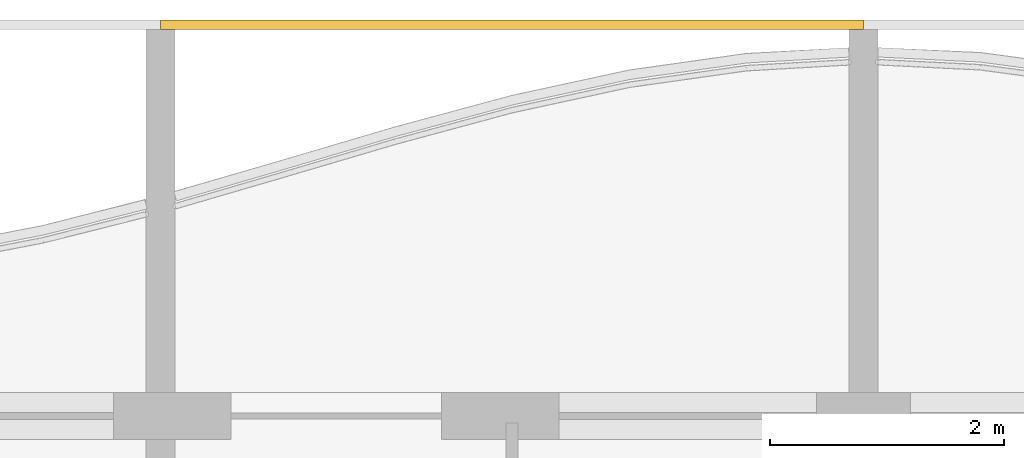
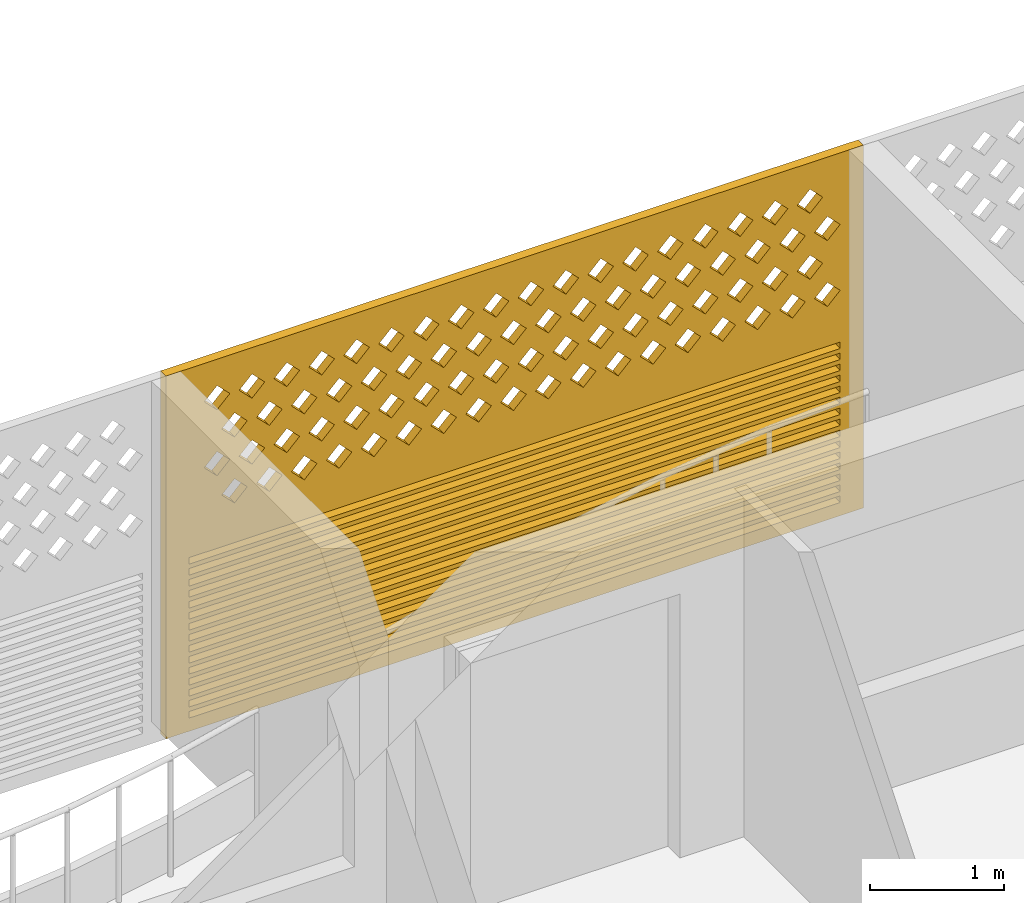
# One storey, part 26 of 28: 1 covering.
"""IFC4 building model written with IfcOpenShell, lengths in metres."""

import ifcopenshell
import ifcopenshell.guid

model = None  # the IFC model being written
_history = None  # IfcOwnerHistory: only IFC2X3 demands one
_inside = {}  # id of a spatial element -> (the spatial element, [elements in it])
_under = {}  # id of a project, library or spatial element -> (it, [spatial elements below it])
_declared = {}  # id of a project -> (the project, [libraries it declares])
_typed = {}  # id of a type object -> (the type object, [elements of that type])
_made_of = {}  # id of a material, layer set ... -> (it, [elements and type objects made of it])


def new_model(schema):
    """Start an empty IFC model of exactly this schema.

    Asked for "IFC4X3", IfcOpenShell would pick the latest addendum, in which some entities
    have other attributes; the version numbers below select the first issue.
    IFC2X3 requires an IfcOwnerHistory on every rooted entity: one is made here for all.
    """
    global model, _history
    if schema == "IFC4X3":
        model = ifcopenshell.file(schema_version=(4, 3, 0, 0))
    else:
        model = ifcopenshell.file(schema=schema)
    _inside.clear()
    _under.clear()
    _declared.clear()
    _typed.clear()
    _made_of.clear()
    _history = None
    if model.schema == "IFC2X3":
        org = make("IfcOrganization", Name="unknown")
        user = make(
            "IfcPersonAndOrganization",
            ThePerson=make("IfcPerson", FamilyName="unknown"),
            TheOrganization=org,
        )
        app = make(
            "IfcApplication",
            ApplicationDeveloper=org,
            Version="unknown",
            ApplicationFullName="unknown",
            ApplicationIdentifier="unknown",
        )
        _history = make(
            "IfcOwnerHistory",
            OwningUser=user,
            OwningApplication=app,
            ChangeAction="ADDED",
            CreationDate=0,
        )
    return model


def make(cls, **values):
    """One entity of the class cls with the attributes given. An attribute that is None is left unset."""
    return model.create_entity(
        cls, **{name: value for name, value in values.items() if value is not None}
    )


def rooted(cls, **values):
    """An entity with a GlobalId (a new one), such as an element, a storey or a relation."""
    return make(cls, GlobalId=ifcopenshell.guid.new(), OwnerHistory=_history, **values)


def si_unit(unit_type, name, prefix=None):
    """IfcSIUnit, for example si_unit("LENGTHUNIT", "METRE", prefix="MILLI")."""
    return make("IfcSIUnit", UnitType=unit_type, Prefix=prefix, Name=name)


def assignment(units):
    """IfcUnitAssignment: the units of a project."""
    return None if units is None else make("IfcUnitAssignment", Units=units)


def point(xyz):
    """IfcCartesianPoint."""
    return None if xyz is None else make("IfcCartesianPoint", Coordinates=xyz)


def direction(xyz):
    """IfcDirection."""
    return None if xyz is None else make("IfcDirection", DirectionRatios=xyz)


def frame(location, z_axis=None, x_axis=None):
    """IfcAxis2Placement3D, a coordinate frame: its origin and axes. An axis left out is left unset."""
    return make(
        "IfcAxis2Placement3D",
        Location=point(location),
        Axis=direction(z_axis),
        RefDirection=direction(x_axis),
    )


def origin():
    """The frame at (0, 0, 0) with its axes left unset."""
    return frame((0.0, 0.0, 0.0))


def place(relative_to, where):
    """IfcLocalPlacement: puts the frame where relative to a parent placement (None: the world)."""
    return make(
        "IfcLocalPlacement", PlacementRelTo=relative_to, RelativePlacement=where
    )


def context(
    kind, dimensions, precision=None, world=None, true_north=None, identifier=None
):
    """IfcGeometricRepresentationContext, for example the 3D "Model" context."""
    return make(
        "IfcGeometricRepresentationContext",
        ContextIdentifier=identifier,
        ContextType=kind,
        CoordinateSpaceDimension=dimensions,
        Precision=precision,
        WorldCoordinateSystem=world,
        TrueNorth=true_north,
    )


def subcontext(parent, identifier, kind, view, scale=None):
    """IfcGeometricRepresentationSubContext, for example "Body" below "Model"."""
    return make(
        "IfcGeometricRepresentationSubContext",
        ContextIdentifier=identifier,
        ContextType=kind,
        ParentContext=parent,
        TargetScale=scale,
        TargetView=view,
    )


def project(units=None, contexts=None):
    """IfcProject with its units and contexts."""
    return rooted(
        "IfcProject",
        Name="project",
        RepresentationContexts=contexts,
        UnitsInContext=assignment(units),
    )


def spatial(cls, under=None, at=None, **own):
    """A site, building, storey or space (cls), placed at a placement, below another one or the project."""
    s = rooted(cls, ObjectPlacement=at, **own)
    if under is not None:
        _under.setdefault(under.id(), (under, []))[1].append(s)
    return s


def polyline(points):
    """IfcPolyline through the points."""
    return make("IfcPolyline", Points=[point(p) for p in points])


def outline(outer, holes=None, kind="AREA"):
    """IfcArbitraryClosedProfileDef: a profile drawn as a closed curve; with holes, ...WithVoids."""
    if holes is None:
        return make("IfcArbitraryClosedProfileDef", ProfileType=kind, OuterCurve=outer)
    return make(
        "IfcArbitraryProfileDefWithVoids",
        ProfileType=kind,
        OuterCurve=outer,
        InnerCurves=holes,
    )


def extrude(swept, where, along, depth):
    """IfcExtrudedAreaSolid: the profile swept, set in the frame where, extruded along a direction by depth."""
    return make(
        "IfcExtrudedAreaSolid",
        SweptArea=swept,
        Position=where,
        ExtrudedDirection=direction(along),
        Depth=depth,
    )


def shape(context_of_items, identifier, shape_type, items):
    """IfcShapeRepresentation: the items that make up one representation, for example the "Body"."""
    return make(
        "IfcShapeRepresentation",
        ContextOfItems=context_of_items,
        RepresentationIdentifier=identifier,
        RepresentationType=shape_type,
        Items=items,
    )


def source(mapping_origin, context_of_items, identifier, shape_type, items):
    """IfcRepresentationMap: a shape defined once, which mapped items show again and again."""
    return make(
        "IfcRepresentationMap",
        MappingOrigin=mapping_origin,
        MappedRepresentation=shape(context_of_items, identifier, shape_type, items),
    )


def transform(
    local_origin,
    x_axis=None,
    y_axis=None,
    z_axis=None,
    scale=None,
    scale2=None,
    scale3=None,
    uniform=True,
):
    """IfcCartesianTransformationOperator3D, or its non-uniform kind. x_axis, y_axis, z_axis: its Axis1, 2, 3."""
    if uniform:
        return make(
            "IfcCartesianTransformationOperator3D",
            Axis1=direction(x_axis),
            Axis2=direction(y_axis),
            LocalOrigin=point(local_origin),
            Scale=scale,
            Axis3=direction(z_axis),
        )
    return make(
        "IfcCartesianTransformationOperator3DnonUniform",
        Axis1=direction(x_axis),
        Axis2=direction(y_axis),
        LocalOrigin=point(local_origin),
        Scale=scale,
        Axis3=direction(z_axis),
        Scale2=scale2,
        Scale3=scale3,
    )


def mapped(mapping_source, mapping_target):
    """IfcMappedItem: shows the shape of a source again, moved by a transform."""
    return make(
        "IfcMappedItem", MappingSource=mapping_source, MappingTarget=mapping_target
    )


def material(Name=None, Category=None):
    """IfcMaterial."""
    return make("IfcMaterial", Name=Name, Category=Category)


def material_profile(
    of_material, cross_section, Name=None, Category=None, Priority=None
):
    """IfcMaterialProfile: a cross section and its material."""
    return make(
        "IfcMaterialProfile",
        Name=Name,
        Material=of_material,
        Profile=cross_section,
        Priority=Priority,
        Category=Category,
    )


def profile_set(profiles, Name=None, composite=None):
    """IfcMaterialProfileSet."""
    return make(
        "IfcMaterialProfileSet",
        Name=Name,
        MaterialProfiles=profiles,
        CompositeProfile=composite,
    )


def made_of(thing, what):
    """Note that an element or type object is made of a material, layer set ...; save() writes the relation."""
    if what is not None:
        _made_of.setdefault(what.id(), (what, []))[1].append(thing)
    return thing


def type_object(cls, material=None, **own):
    """A type object (cls), such as IfcWallType, which elements share."""
    return made_of(rooted(cls, **own), material)


def element(
    cls,
    number,
    at=None,
    inside=None,
    cuts=None,
    type_object=None,
    material=None,
    context=None,
    identifier="Body",
    shape_type=None,
    held_by="IfcProductDefinitionShape",
    body=None,
    shapes=None,
    **own,
):
    """One element of the class cls, such as IfcWall. Its Tag is "e" and its number.

    at: its placement. inside: the storey or other place that contains it. cuts: it is an
    opening in that element (IfcRelVoidsElement). A single representation is given by context,
    identifier, shape_type and body (its items); several are given by shapes. held_by: the class
    of the entity that holds the representations. save() writes the other relations.
    """
    e = rooted(cls, Tag="e%d" % number, ObjectPlacement=at, **own)
    if body is not None:
        shapes = [shape(context, identifier, shape_type, body)]
    if shapes is not None:
        e.Representation = make(held_by, Representations=shapes)
    if inside is not None:
        _inside.setdefault(inside.id(), (inside, []))[1].append(e)
    if cuts is not None:
        rooted(
            "IfcRelVoidsElement", RelatingBuildingElement=cuts, RelatedOpeningElement=e
        )
    if type_object is not None:
        _typed.setdefault(type_object.id(), (type_object, []))[1].append(e)
    return made_of(e, material)


def aggregate(whole, parts):
    """IfcRelAggregates: a whole, such as a stair, and the parts it consists of."""
    return rooted("IfcRelAggregates", RelatingObject=whole, RelatedObjects=parts)


def save(model, path):
    """Write the relations noted so far, then the file.

    IfcRelAggregates (storeys below a building ...), IfcRelContainedInSpatialStructure (elements
    in a storey), IfcRelDefinesByType, IfcRelAssociatesMaterial and IfcRelDeclares: one each for
    every whole, place, type object, material and project.
    """
    for whole, parts in _under.values():
        aggregate(whole, parts)
    for where, things in _inside.values():
        rooted(
            "IfcRelContainedInSpatialStructure",
            RelatedElements=things,
            RelatingStructure=where,
        )
    for kind, things in _typed.values():
        rooted("IfcRelDefinesByType", RelatedObjects=things, RelatingType=kind)
    for what, things in _made_of.values():
        rooted("IfcRelAssociatesMaterial", RelatedObjects=things, RelatingMaterial=what)
    for by, libraries in _declared.values():
        rooted("IfcRelDeclares", RelatingContext=by, RelatedDefinitions=libraries)
    model.write(path)


model = new_model("IFC4")

# Units and contexts
model_context = context("Model", 3, precision=1e-05, world=origin(), true_north=direction((0.0, 1.0)))
body_context = subcontext(model_context, "Body", "Model", "MODEL_VIEW")
ifc_project = project(units=[si_unit("LENGTHUNIT", "METRE"), si_unit("AREAUNIT", "SQUARE_METRE"), si_unit("VOLUMEUNIT", "CUBIC_METRE"), si_unit("PLANEANGLEUNIT", "RADIAN"), si_unit("MASSUNIT", "GRAM", prefix="KILO")], contexts=[model_context])

# Site, building, storey
site_placement = place(None, origin())
site = spatial("IfcSite", under=ifc_project, at=site_placement, CompositionType="ELEMENT")
building_placement = place(site_placement, origin())
building = spatial("IfcBuilding", under=site, at=building_placement, Name="Poui Terraces", CompositionType="ELEMENT")
storey_placement = place(building_placement, frame((0.0, 0.0, 185.10009765625)))
storey = spatial("IfcBuildingStorey", under=building, at=storey_placement, Name="L51", CompositionType="ELEMENT", Elevation=185.10009765625)

# Covering
ifc_material = material(Name="Terracotta screen", Category="masonry")
ifc_material_profile = material_profile(ifc_material, outline(polyline([(-3.0, -1.64990234375), (3.0, -1.64990234375), (3.0, 1.64990234375), (-3.0, 1.64990234375), (-3.0, -1.64990234375)]), holes=[polyline([(-2.800048828125, 0.39990234375), (-2.68994140625, 0.2900390625), (-2.580078125, 0.39990234375), (-2.68994140625, 0.510009765625), (-2.800048828125, 0.39990234375)]), polyline([(-2.5, 0.39990234375), (-2.389892578125, 0.2900390625), (-2.280029296875, 0.39990234375), (-2.389892578125, 0.510009765625), (-2.5, 0.39990234375)]), polyline([(-2.199951171875, 0.39990234375), (-2.090087890625, 0.2900390625), (-1.97998046875, 0.39990234375), (-2.090087890625, 0.510009765625), (-2.199951171875, 0.39990234375)]), polyline([(-1.89990234375, 0.39990234375), (-1.7900390625, 0.2900390625), (-1.679931640625, 0.39990234375), (-1.7900390625, 0.510009765625), (-1.89990234375, 0.39990234375)]), polyline([(-1.60009765625, 0.39990234375), (-1.489990234375, 0.2900390625), (-1.3798828125, 0.39990234375), (-1.489990234375, 0.510009765625), (-1.60009765625, 0.39990234375)]), polyline([(-1.300048828125, 0.39990234375), (-1.18994140625, 0.2900390625), (-1.080078125, 0.39990234375), (-1.18994140625, 0.510009765625), (-1.300048828125, 0.39990234375)]), polyline([(-1.0, 0.39990234375), (-0.889892578125, 0.2900390625), (-0.780029296875, 0.39990234375), (-0.889892578125, 0.510009765625), (-1.0, 0.39990234375)]), polyline([(-0.699951171875, 0.39990234375), (-0.590087890625, 0.2900390625), (-0.47998046875, 0.39990234375), (-0.590087890625, 0.510009765625), (-0.699951171875, 0.39990234375)]), polyline([(-0.39990234375, 0.39990234375), (-0.2900390625, 0.2900390625), (-0.179931640625, 0.39990234375), (-0.2900390625, 0.510009765625), (-0.39990234375, 0.39990234375)]), polyline([(-0.10009765625, 0.39990234375), (0.010009765625, 0.2900390625), (0.1201171875, 0.39990234375), (0.010009765625, 0.510009765625), (-0.10009765625, 0.39990234375)]), polyline([(0.199951171875, 0.39990234375), (0.31005859375, 0.2900390625), (0.419921875, 0.39990234375), (0.31005859375, 0.510009765625), (0.199951171875, 0.39990234375)]), polyline([(0.5, 0.39990234375), (0.610107421875, 0.2900390625), (0.719970703125, 0.39990234375), (0.610107421875, 0.510009765625), (0.5, 0.39990234375)]), polyline([(0.800048828125, 0.39990234375), (0.909912109375, 0.2900390625), (1.02001953125, 0.39990234375), (0.909912109375, 0.510009765625), (0.800048828125, 0.39990234375)]), polyline([(1.10009765625, 0.39990234375), (1.2099609375, 0.2900390625), (1.320068359375, 0.39990234375), (1.2099609375, 0.510009765625), (1.10009765625, 0.39990234375)]), polyline([(1.39990234375, 0.39990234375), (1.510009765625, 0.2900390625), (1.6201171875, 0.39990234375), (1.510009765625, 0.510009765625), (1.39990234375, 0.39990234375)]), polyline([(1.699951171875, 0.39990234375), (1.81005859375, 0.2900390625), (1.919921875, 0.39990234375), (1.81005859375, 0.510009765625), (1.699951171875, 0.39990234375)]), polyline([(2.0, 0.39990234375), (2.110107421875, 0.2900390625), (2.219970703125, 0.39990234375), (2.110107421875, 0.510009765625), (2.0, 0.39990234375)]), polyline([(2.300048828125, 0.39990234375), (2.409912109375, 0.2900390625), (2.52001953125, 0.39990234375), (2.409912109375, 0.510009765625), (2.300048828125, 0.39990234375)]), polyline([(-2.64990234375, 0.699951171875), (-2.5400390625, 0.590087890625), (-2.429931640625, 0.699951171875), (-2.5400390625, 0.81005859375), (-2.64990234375, 0.699951171875)]), polyline([(-2.35009765625, 0.699951171875), (-2.239990234375, 0.590087890625), (-2.1298828125, 0.699951171875), (-2.239990234375, 0.81005859375), (-2.35009765625, 0.699951171875)]), polyline([(-2.050048828125, 0.699951171875), (-1.93994140625, 0.590087890625), (-1.830078125, 0.699951171875), (-1.93994140625, 0.81005859375), (-2.050048828125, 0.699951171875)]), polyline([(-1.75, 0.699951171875), (-1.639892578125, 0.590087890625), (-1.530029296875, 0.699951171875), (-1.639892578125, 0.81005859375), (-1.75, 0.699951171875)]), polyline([(-1.449951171875, 0.699951171875), (-1.340087890625, 0.590087890625), (-1.22998046875, 0.699951171875), (-1.340087890625, 0.81005859375), (-1.449951171875, 0.699951171875)]), polyline([(-1.14990234375, 0.699951171875), (-1.0400390625, 0.590087890625), (-0.929931640625, 0.699951171875), (-1.0400390625, 0.81005859375), (-1.14990234375, 0.699951171875)]), polyline([(-0.85009765625, 0.699951171875), (-0.739990234375, 0.590087890625), (-0.6298828125, 0.699951171875), (-0.739990234375, 0.81005859375), (-0.85009765625, 0.699951171875)]), polyline([(-0.550048828125, 0.699951171875), (-0.43994140625, 0.590087890625), (-0.330078125, 0.699951171875), (-0.43994140625, 0.81005859375), (-0.550048828125, 0.699951171875)]), polyline([(-0.25, 0.699951171875), (-0.139892578125, 0.590087890625), (-0.030029296875, 0.699951171875), (-0.139892578125, 0.81005859375), (-0.25, 0.699951171875)]), polyline([(0.050048828125, 0.699951171875), (0.159912109375, 0.590087890625), (0.27001953125, 0.699951171875), (0.159912109375, 0.81005859375), (0.050048828125, 0.699951171875)]), polyline([(0.35009765625, 0.699951171875), (0.4599609375, 0.590087890625), (0.570068359375, 0.699951171875), (0.4599609375, 0.81005859375), (0.35009765625, 0.699951171875)]), polyline([(0.64990234375, 0.699951171875), (0.760009765625, 0.590087890625), (0.8701171875, 0.699951171875), (0.760009765625, 0.81005859375), (0.64990234375, 0.699951171875)]), polyline([(0.949951171875, 0.699951171875), (1.06005859375, 0.590087890625), (1.169921875, 0.699951171875), (1.06005859375, 0.81005859375), (0.949951171875, 0.699951171875)]), polyline([(1.25, 0.699951171875), (1.360107421875, 0.590087890625), (1.469970703125, 0.699951171875), (1.360107421875, 0.81005859375), (1.25, 0.699951171875)]), polyline([(1.550048828125, 0.699951171875), (1.659912109375, 0.590087890625), (1.77001953125, 0.699951171875), (1.659912109375, 0.81005859375), (1.550048828125, 0.699951171875)]), polyline([(1.85009765625, 0.699951171875), (1.9599609375, 0.590087890625), (2.070068359375, 0.699951171875), (1.9599609375, 0.81005859375), (1.85009765625, 0.699951171875)]), polyline([(2.14990234375, 0.699951171875), (2.260009765625, 0.590087890625), (2.3701171875, 0.699951171875), (2.260009765625, 0.81005859375), (2.14990234375, 0.699951171875)]), polyline([(2.449951171875, 0.699951171875), (2.56005859375, 0.590087890625), (2.669921875, 0.699951171875), (2.56005859375, 0.81005859375), (2.449951171875, 0.699951171875)]), polyline([(-2.800048828125, 1.0), (-2.68994140625, 0.889892578125), (-2.580078125, 1.0), (-2.68994140625, 1.110107421875), (-2.800048828125, 1.0)]), polyline([(-2.5, 1.0), (-2.389892578125, 0.889892578125), (-2.280029296875, 1.0), (-2.389892578125, 1.110107421875), (-2.5, 1.0)]), polyline([(-2.199951171875, 1.0), (-2.090087890625, 0.889892578125), (-1.97998046875, 1.0), (-2.090087890625, 1.110107421875), (-2.199951171875, 1.0)]), polyline([(-1.89990234375, 1.0), (-1.7900390625, 0.889892578125), (-1.679931640625, 1.0), (-1.7900390625, 1.110107421875), (-1.89990234375, 1.0)]), polyline([(-1.60009765625, 1.0), (-1.489990234375, 0.889892578125), (-1.3798828125, 1.0), (-1.489990234375, 1.110107421875), (-1.60009765625, 1.0)]), polyline([(-1.300048828125, 1.0), (-1.18994140625, 0.889892578125), (-1.080078125, 1.0), (-1.18994140625, 1.110107421875), (-1.300048828125, 1.0)]), polyline([(-1.0, 1.0), (-0.889892578125, 0.889892578125), (-0.780029296875, 1.0), (-0.889892578125, 1.110107421875), (-1.0, 1.0)]), polyline([(-0.699951171875, 1.0), (-0.590087890625, 0.889892578125), (-0.47998046875, 1.0), (-0.590087890625, 1.110107421875), (-0.699951171875, 1.0)]), polyline([(-0.39990234375, 1.0), (-0.2900390625, 0.889892578125), (-0.179931640625, 1.0), (-0.2900390625, 1.110107421875), (-0.39990234375, 1.0)]), polyline([(-0.10009765625, 1.0), (0.010009765625, 0.889892578125), (0.1201171875, 1.0), (0.010009765625, 1.110107421875), (-0.10009765625, 1.0)]), polyline([(0.199951171875, 1.0), (0.31005859375, 0.889892578125), (0.419921875, 1.0), (0.31005859375, 1.110107421875), (0.199951171875, 1.0)]), polyline([(0.5, 1.0), (0.610107421875, 0.889892578125), (0.719970703125, 1.0), (0.610107421875, 1.110107421875), (0.5, 1.0)]), polyline([(0.800048828125, 1.0), (0.909912109375, 0.889892578125), (1.02001953125, 1.0), (0.909912109375, 1.110107421875), (0.800048828125, 1.0)]), polyline([(1.10009765625, 1.0), (1.2099609375, 0.889892578125), (1.320068359375, 1.0), (1.2099609375, 1.110107421875), (1.10009765625, 1.0)]), polyline([(1.39990234375, 1.0), (1.510009765625, 0.889892578125), (1.6201171875, 1.0), (1.510009765625, 1.110107421875), (1.39990234375, 1.0)]), polyline([(1.699951171875, 1.0), (1.81005859375, 0.889892578125), (1.919921875, 1.0), (1.81005859375, 1.110107421875), (1.699951171875, 1.0)]), polyline([(2.0, 1.0), (2.110107421875, 0.889892578125), (2.219970703125, 1.0), (2.110107421875, 1.110107421875), (2.0, 1.0)]), polyline([(2.300048828125, 1.0), (2.409912109375, 0.889892578125), (2.52001953125, 1.0), (2.409912109375, 1.110107421875), (2.300048828125, 1.0)]), polyline([(-2.64990234375, 1.300048828125), (-2.5400390625, 1.18994140625), (-2.429931640625, 1.300048828125), (-2.5400390625, 1.409912109375), (-2.64990234375, 1.300048828125)]), polyline([(-2.35009765625, 1.300048828125), (-2.239990234375, 1.18994140625), (-2.1298828125, 1.300048828125), (-2.239990234375, 1.409912109375), (-2.35009765625, 1.300048828125)]), polyline([(-2.050048828125, 1.300048828125), (-1.93994140625, 1.18994140625), (-1.830078125, 1.300048828125), (-1.93994140625, 1.409912109375), (-2.050048828125, 1.300048828125)]), polyline([(-1.75, 1.300048828125), (-1.639892578125, 1.18994140625), (-1.530029296875, 1.300048828125), (-1.639892578125, 1.409912109375), (-1.75, 1.300048828125)]), polyline([(-1.449951171875, 1.300048828125), (-1.340087890625, 1.18994140625), (-1.22998046875, 1.300048828125), (-1.340087890625, 1.409912109375), (-1.449951171875, 1.300048828125)]), polyline([(-1.14990234375, 1.300048828125), (-1.0400390625, 1.18994140625), (-0.929931640625, 1.300048828125), (-1.0400390625, 1.409912109375), (-1.14990234375, 1.300048828125)]), polyline([(-0.85009765625, 1.300048828125), (-0.739990234375, 1.18994140625), (-0.6298828125, 1.300048828125), (-0.739990234375, 1.409912109375), (-0.85009765625, 1.300048828125)]), polyline([(-0.550048828125, 1.300048828125), (-0.43994140625, 1.18994140625), (-0.330078125, 1.300048828125), (-0.43994140625, 1.409912109375), (-0.550048828125, 1.300048828125)]), polyline([(-0.25, 1.300048828125), (-0.139892578125, 1.18994140625), (-0.030029296875, 1.300048828125), (-0.139892578125, 1.409912109375), (-0.25, 1.300048828125)]), polyline([(0.050048828125, 1.300048828125), (0.159912109375, 1.18994140625), (0.27001953125, 1.300048828125), (0.159912109375, 1.409912109375), (0.050048828125, 1.300048828125)]), polyline([(0.35009765625, 1.300048828125), (0.4599609375, 1.18994140625), (0.570068359375, 1.300048828125), (0.4599609375, 1.409912109375), (0.35009765625, 1.300048828125)]), polyline([(0.64990234375, 1.300048828125), (0.760009765625, 1.18994140625), (0.8701171875, 1.300048828125), (0.760009765625, 1.409912109375), (0.64990234375, 1.300048828125)]), polyline([(0.949951171875, 1.300048828125), (1.06005859375, 1.18994140625), (1.169921875, 1.300048828125), (1.06005859375, 1.409912109375), (0.949951171875, 1.300048828125)]), polyline([(1.25, 1.300048828125), (1.360107421875, 1.18994140625), (1.469970703125, 1.300048828125), (1.360107421875, 1.409912109375), (1.25, 1.300048828125)]), polyline([(1.550048828125, 1.300048828125), (1.659912109375, 1.18994140625), (1.77001953125, 1.300048828125), (1.659912109375, 1.409912109375), (1.550048828125, 1.300048828125)]), polyline([(1.85009765625, 1.300048828125), (1.9599609375, 1.18994140625), (2.070068359375, 1.300048828125), (1.9599609375, 1.409912109375), (1.85009765625, 1.300048828125)]), polyline([(2.14990234375, 1.300048828125), (2.260009765625, 1.18994140625), (2.3701171875, 1.300048828125), (2.260009765625, 1.409912109375), (2.14990234375, 1.300048828125)]), polyline([(2.449951171875, 1.300048828125), (2.56005859375, 1.18994140625), (2.669921875, 1.300048828125), (2.56005859375, 1.409912109375), (2.449951171875, 1.300048828125)]), polyline([(-2.800048828125, -1.530029296875), (2.800048828125, -1.530029296875), (2.800048828125, -1.469970703125), (-2.800048828125, -1.469970703125), (-2.800048828125, -1.530029296875)]), polyline([(-2.800048828125, -1.429931640625), (2.800048828125, -1.429931640625), (2.800048828125, -1.3701171875), (-2.800048828125, -1.3701171875), (-2.800048828125, -1.429931640625)]), polyline([(-2.800048828125, -1.330078125), (2.800048828125, -1.330078125), (2.800048828125, -1.27001953125), (-2.800048828125, -1.27001953125), (-2.800048828125, -1.330078125)]), polyline([(-2.800048828125, -1.22998046875), (2.800048828125, -1.22998046875), (2.800048828125, -1.169921875), (-2.800048828125, -1.169921875), (-2.800048828125, -1.22998046875)]), polyline([(-2.800048828125, -1.1298828125), (2.800048828125, -1.1298828125), (2.800048828125, -1.070068359375), (-2.800048828125, -1.070068359375), (-2.800048828125, -1.1298828125)]), polyline([(-2.800048828125, -1.030029296875), (2.800048828125, -1.030029296875), (2.800048828125, -0.969970703125), (-2.800048828125, -0.969970703125), (-2.800048828125, -1.030029296875)]), polyline([(-2.800048828125, -0.929931640625), (2.800048828125, -0.929931640625), (2.800048828125, -0.8701171875), (-2.800048828125, -0.8701171875), (-2.800048828125, -0.929931640625)]), polyline([(-2.800048828125, -0.830078125), (2.800048828125, -0.830078125), (2.800048828125, -0.77001953125), (-2.800048828125, -0.77001953125), (-2.800048828125, -0.830078125)]), polyline([(-2.800048828125, -0.72998046875), (2.800048828125, -0.72998046875), (2.800048828125, -0.669921875), (-2.800048828125, -0.669921875), (-2.800048828125, -0.72998046875)]), polyline([(-2.800048828125, -0.6298828125), (2.800048828125, -0.6298828125), (2.800048828125, -0.570068359375), (-2.800048828125, -0.570068359375), (-2.800048828125, -0.6298828125)]), polyline([(-2.800048828125, -0.530029296875), (2.800048828125, -0.530029296875), (2.800048828125, -0.469970703125), (-2.800048828125, -0.469970703125), (-2.800048828125, -0.530029296875)]), polyline([(-2.800048828125, -0.429931640625), (2.800048828125, -0.429931640625), (2.800048828125, -0.3701171875), (-2.800048828125, -0.3701171875), (-2.800048828125, -0.429931640625)]), polyline([(-2.800048828125, -0.330078125), (2.800048828125, -0.330078125), (2.800048828125, -0.27001953125), (-2.800048828125, -0.27001953125), (-2.800048828125, -0.330078125)]), polyline([(-2.800048828125, -0.22998046875), (2.800048828125, -0.22998046875), (2.800048828125, -0.169921875), (-2.800048828125, -0.169921875), (-2.800048828125, -0.22998046875)]), polyline([(-2.800048828125, -0.1298828125), (2.800048828125, -0.1298828125), (2.800048828125, -0.070068359375), (-2.800048828125, -0.070068359375), (-2.800048828125, -0.1298828125)])]), Name="TERRACOTTA SCREEN AND JALOUSIE LOUVRE 6000X3300")
ifc_profile_set = profile_set([ifc_material_profile], Name="Terracotta screen")
covering_type = type_object("IfcCoveringType", Name="TERRACOTTA SCREEN AND JALOUSIE LOUVRE 6000X3300", PredefinedType="CLADDING", material=ifc_profile_set)
shared_shape = source(origin(), body_context, "Body", "SweptSolid", [
    extrude(outline(polyline([(-3.0, -1.64990234375), (3.0, -1.64990234375), (3.0, 1.64990234375), (-3.0, 1.64990234375), (-3.0, -1.64990234375)]), holes=[polyline([(-2.800048828125, 0.39990234375), (-2.68994140625, 0.2900390625), (-2.580078125, 0.39990234375), (-2.68994140625, 0.510009765625), (-2.800048828125, 0.39990234375)]), polyline([(-2.5, 0.39990234375), (-2.389892578125, 0.2900390625), (-2.280029296875, 0.39990234375), (-2.389892578125, 0.510009765625), (-2.5, 0.39990234375)]), polyline([(-2.199951171875, 0.39990234375), (-2.090087890625, 0.2900390625), (-1.97998046875, 0.39990234375), (-2.090087890625, 0.510009765625), (-2.199951171875, 0.39990234375)]), polyline([(-1.89990234375, 0.39990234375), (-1.7900390625, 0.2900390625), (-1.679931640625, 0.39990234375), (-1.7900390625, 0.510009765625), (-1.89990234375, 0.39990234375)]), polyline([(-1.60009765625, 0.39990234375), (-1.489990234375, 0.2900390625), (-1.3798828125, 0.39990234375), (-1.489990234375, 0.510009765625), (-1.60009765625, 0.39990234375)]), polyline([(-1.300048828125, 0.39990234375), (-1.18994140625, 0.2900390625), (-1.080078125, 0.39990234375), (-1.18994140625, 0.510009765625), (-1.300048828125, 0.39990234375)]), polyline([(-1.0, 0.39990234375), (-0.889892578125, 0.2900390625), (-0.780029296875, 0.39990234375), (-0.889892578125, 0.510009765625), (-1.0, 0.39990234375)]), polyline([(-0.699951171875, 0.39990234375), (-0.590087890625, 0.2900390625), (-0.47998046875, 0.39990234375), (-0.590087890625, 0.510009765625), (-0.699951171875, 0.39990234375)]), polyline([(-0.39990234375, 0.39990234375), (-0.2900390625, 0.2900390625), (-0.179931640625, 0.39990234375), (-0.2900390625, 0.510009765625), (-0.39990234375, 0.39990234375)]), polyline([(-0.10009765625, 0.39990234375), (0.010009765625, 0.2900390625), (0.1201171875, 0.39990234375), (0.010009765625, 0.510009765625), (-0.10009765625, 0.39990234375)]), polyline([(0.199951171875, 0.39990234375), (0.31005859375, 0.2900390625), (0.419921875, 0.39990234375), (0.31005859375, 0.510009765625), (0.199951171875, 0.39990234375)]), polyline([(0.5, 0.39990234375), (0.610107421875, 0.2900390625), (0.719970703125, 0.39990234375), (0.610107421875, 0.510009765625), (0.5, 0.39990234375)]), polyline([(0.800048828125, 0.39990234375), (0.909912109375, 0.2900390625), (1.02001953125, 0.39990234375), (0.909912109375, 0.510009765625), (0.800048828125, 0.39990234375)]), polyline([(1.10009765625, 0.39990234375), (1.2099609375, 0.2900390625), (1.320068359375, 0.39990234375), (1.2099609375, 0.510009765625), (1.10009765625, 0.39990234375)]), polyline([(1.39990234375, 0.39990234375), (1.510009765625, 0.2900390625), (1.6201171875, 0.39990234375), (1.510009765625, 0.510009765625), (1.39990234375, 0.39990234375)]), polyline([(1.699951171875, 0.39990234375), (1.81005859375, 0.2900390625), (1.919921875, 0.39990234375), (1.81005859375, 0.510009765625), (1.699951171875, 0.39990234375)]), polyline([(2.0, 0.39990234375), (2.110107421875, 0.2900390625), (2.219970703125, 0.39990234375), (2.110107421875, 0.510009765625), (2.0, 0.39990234375)]), polyline([(2.300048828125, 0.39990234375), (2.409912109375, 0.2900390625), (2.52001953125, 0.39990234375), (2.409912109375, 0.510009765625), (2.300048828125, 0.39990234375)]), polyline([(-2.64990234375, 0.699951171875), (-2.5400390625, 0.590087890625), (-2.429931640625, 0.699951171875), (-2.5400390625, 0.81005859375), (-2.64990234375, 0.699951171875)]), polyline([(-2.35009765625, 0.699951171875), (-2.239990234375, 0.590087890625), (-2.1298828125, 0.699951171875), (-2.239990234375, 0.81005859375), (-2.35009765625, 0.699951171875)]), polyline([(-2.050048828125, 0.699951171875), (-1.93994140625, 0.590087890625), (-1.830078125, 0.699951171875), (-1.93994140625, 0.81005859375), (-2.050048828125, 0.699951171875)]), polyline([(-1.75, 0.699951171875), (-1.639892578125, 0.590087890625), (-1.530029296875, 0.699951171875), (-1.639892578125, 0.81005859375), (-1.75, 0.699951171875)]), polyline([(-1.449951171875, 0.699951171875), (-1.340087890625, 0.590087890625), (-1.22998046875, 0.699951171875), (-1.340087890625, 0.81005859375), (-1.449951171875, 0.699951171875)]), polyline([(-1.14990234375, 0.699951171875), (-1.0400390625, 0.590087890625), (-0.929931640625, 0.699951171875), (-1.0400390625, 0.81005859375), (-1.14990234375, 0.699951171875)]), polyline([(-0.85009765625, 0.699951171875), (-0.739990234375, 0.590087890625), (-0.6298828125, 0.699951171875), (-0.739990234375, 0.81005859375), (-0.85009765625, 0.699951171875)]), polyline([(-0.550048828125, 0.699951171875), (-0.43994140625, 0.590087890625), (-0.330078125, 0.699951171875), (-0.43994140625, 0.81005859375), (-0.550048828125, 0.699951171875)]), polyline([(-0.25, 0.699951171875), (-0.139892578125, 0.590087890625), (-0.030029296875, 0.699951171875), (-0.139892578125, 0.81005859375), (-0.25, 0.699951171875)]), polyline([(0.050048828125, 0.699951171875), (0.159912109375, 0.590087890625), (0.27001953125, 0.699951171875), (0.159912109375, 0.81005859375), (0.050048828125, 0.699951171875)]), polyline([(0.35009765625, 0.699951171875), (0.4599609375, 0.590087890625), (0.570068359375, 0.699951171875), (0.4599609375, 0.81005859375), (0.35009765625, 0.699951171875)]), polyline([(0.64990234375, 0.699951171875), (0.760009765625, 0.590087890625), (0.8701171875, 0.699951171875), (0.760009765625, 0.81005859375), (0.64990234375, 0.699951171875)]), polyline([(0.949951171875, 0.699951171875), (1.06005859375, 0.590087890625), (1.169921875, 0.699951171875), (1.06005859375, 0.81005859375), (0.949951171875, 0.699951171875)]), polyline([(1.25, 0.699951171875), (1.360107421875, 0.590087890625), (1.469970703125, 0.699951171875), (1.360107421875, 0.81005859375), (1.25, 0.699951171875)]), polyline([(1.550048828125, 0.699951171875), (1.659912109375, 0.590087890625), (1.77001953125, 0.699951171875), (1.659912109375, 0.81005859375), (1.550048828125, 0.699951171875)]), polyline([(1.85009765625, 0.699951171875), (1.9599609375, 0.590087890625), (2.070068359375, 0.699951171875), (1.9599609375, 0.81005859375), (1.85009765625, 0.699951171875)]), polyline([(2.14990234375, 0.699951171875), (2.260009765625, 0.590087890625), (2.3701171875, 0.699951171875), (2.260009765625, 0.81005859375), (2.14990234375, 0.699951171875)]), polyline([(2.449951171875, 0.699951171875), (2.56005859375, 0.590087890625), (2.669921875, 0.699951171875), (2.56005859375, 0.81005859375), (2.449951171875, 0.699951171875)]), polyline([(-2.800048828125, 1.0), (-2.68994140625, 0.889892578125), (-2.580078125, 1.0), (-2.68994140625, 1.110107421875), (-2.800048828125, 1.0)]), polyline([(-2.5, 1.0), (-2.389892578125, 0.889892578125), (-2.280029296875, 1.0), (-2.389892578125, 1.110107421875), (-2.5, 1.0)]), polyline([(-2.199951171875, 1.0), (-2.090087890625, 0.889892578125), (-1.97998046875, 1.0), (-2.090087890625, 1.110107421875), (-2.199951171875, 1.0)]), polyline([(-1.89990234375, 1.0), (-1.7900390625, 0.889892578125), (-1.679931640625, 1.0), (-1.7900390625, 1.110107421875), (-1.89990234375, 1.0)]), polyline([(-1.60009765625, 1.0), (-1.489990234375, 0.889892578125), (-1.3798828125, 1.0), (-1.489990234375, 1.110107421875), (-1.60009765625, 1.0)]), polyline([(-1.300048828125, 1.0), (-1.18994140625, 0.889892578125), (-1.080078125, 1.0), (-1.18994140625, 1.110107421875), (-1.300048828125, 1.0)]), polyline([(-1.0, 1.0), (-0.889892578125, 0.889892578125), (-0.780029296875, 1.0), (-0.889892578125, 1.110107421875), (-1.0, 1.0)]), polyline([(-0.699951171875, 1.0), (-0.590087890625, 0.889892578125), (-0.47998046875, 1.0), (-0.590087890625, 1.110107421875), (-0.699951171875, 1.0)]), polyline([(-0.39990234375, 1.0), (-0.2900390625, 0.889892578125), (-0.179931640625, 1.0), (-0.2900390625, 1.110107421875), (-0.39990234375, 1.0)]), polyline([(-0.10009765625, 1.0), (0.010009765625, 0.889892578125), (0.1201171875, 1.0), (0.010009765625, 1.110107421875), (-0.10009765625, 1.0)]), polyline([(0.199951171875, 1.0), (0.31005859375, 0.889892578125), (0.419921875, 1.0), (0.31005859375, 1.110107421875), (0.199951171875, 1.0)]), polyline([(0.5, 1.0), (0.610107421875, 0.889892578125), (0.719970703125, 1.0), (0.610107421875, 1.110107421875), (0.5, 1.0)]), polyline([(0.800048828125, 1.0), (0.909912109375, 0.889892578125), (1.02001953125, 1.0), (0.909912109375, 1.110107421875), (0.800048828125, 1.0)]), polyline([(1.10009765625, 1.0), (1.2099609375, 0.889892578125), (1.320068359375, 1.0), (1.2099609375, 1.110107421875), (1.10009765625, 1.0)]), polyline([(1.39990234375, 1.0), (1.510009765625, 0.889892578125), (1.6201171875, 1.0), (1.510009765625, 1.110107421875), (1.39990234375, 1.0)]), polyline([(1.699951171875, 1.0), (1.81005859375, 0.889892578125), (1.919921875, 1.0), (1.81005859375, 1.110107421875), (1.699951171875, 1.0)]), polyline([(2.0, 1.0), (2.110107421875, 0.889892578125), (2.219970703125, 1.0), (2.110107421875, 1.110107421875), (2.0, 1.0)]), polyline([(2.300048828125, 1.0), (2.409912109375, 0.889892578125), (2.52001953125, 1.0), (2.409912109375, 1.110107421875), (2.300048828125, 1.0)]), polyline([(-2.64990234375, 1.300048828125), (-2.5400390625, 1.18994140625), (-2.429931640625, 1.300048828125), (-2.5400390625, 1.409912109375), (-2.64990234375, 1.300048828125)]), polyline([(-2.35009765625, 1.300048828125), (-2.239990234375, 1.18994140625), (-2.1298828125, 1.300048828125), (-2.239990234375, 1.409912109375), (-2.35009765625, 1.300048828125)]), polyline([(-2.050048828125, 1.300048828125), (-1.93994140625, 1.18994140625), (-1.830078125, 1.300048828125), (-1.93994140625, 1.409912109375), (-2.050048828125, 1.300048828125)]), polyline([(-1.75, 1.300048828125), (-1.639892578125, 1.18994140625), (-1.530029296875, 1.300048828125), (-1.639892578125, 1.409912109375), (-1.75, 1.300048828125)]), polyline([(-1.449951171875, 1.300048828125), (-1.340087890625, 1.18994140625), (-1.22998046875, 1.300048828125), (-1.340087890625, 1.409912109375), (-1.449951171875, 1.300048828125)]), polyline([(-1.14990234375, 1.300048828125), (-1.0400390625, 1.18994140625), (-0.929931640625, 1.300048828125), (-1.0400390625, 1.409912109375), (-1.14990234375, 1.300048828125)]), polyline([(-0.85009765625, 1.300048828125), (-0.739990234375, 1.18994140625), (-0.6298828125, 1.300048828125), (-0.739990234375, 1.409912109375), (-0.85009765625, 1.300048828125)]), polyline([(-0.550048828125, 1.300048828125), (-0.43994140625, 1.18994140625), (-0.330078125, 1.300048828125), (-0.43994140625, 1.409912109375), (-0.550048828125, 1.300048828125)]), polyline([(-0.25, 1.300048828125), (-0.139892578125, 1.18994140625), (-0.030029296875, 1.300048828125), (-0.139892578125, 1.409912109375), (-0.25, 1.300048828125)]), polyline([(0.050048828125, 1.300048828125), (0.159912109375, 1.18994140625), (0.27001953125, 1.300048828125), (0.159912109375, 1.409912109375), (0.050048828125, 1.300048828125)]), polyline([(0.35009765625, 1.300048828125), (0.4599609375, 1.18994140625), (0.570068359375, 1.300048828125), (0.4599609375, 1.409912109375), (0.35009765625, 1.300048828125)]), polyline([(0.64990234375, 1.300048828125), (0.760009765625, 1.18994140625), (0.8701171875, 1.300048828125), (0.760009765625, 1.409912109375), (0.64990234375, 1.300048828125)]), polyline([(0.949951171875, 1.300048828125), (1.06005859375, 1.18994140625), (1.169921875, 1.300048828125), (1.06005859375, 1.409912109375), (0.949951171875, 1.300048828125)]), polyline([(1.25, 1.300048828125), (1.360107421875, 1.18994140625), (1.469970703125, 1.300048828125), (1.360107421875, 1.409912109375), (1.25, 1.300048828125)]), polyline([(1.550048828125, 1.300048828125), (1.659912109375, 1.18994140625), (1.77001953125, 1.300048828125), (1.659912109375, 1.409912109375), (1.550048828125, 1.300048828125)]), polyline([(1.85009765625, 1.300048828125), (1.9599609375, 1.18994140625), (2.070068359375, 1.300048828125), (1.9599609375, 1.409912109375), (1.85009765625, 1.300048828125)]), polyline([(2.14990234375, 1.300048828125), (2.260009765625, 1.18994140625), (2.3701171875, 1.300048828125), (2.260009765625, 1.409912109375), (2.14990234375, 1.300048828125)]), polyline([(2.449951171875, 1.300048828125), (2.56005859375, 1.18994140625), (2.669921875, 1.300048828125), (2.56005859375, 1.409912109375), (2.449951171875, 1.300048828125)]), polyline([(-2.800048828125, -1.530029296875), (2.800048828125, -1.530029296875), (2.800048828125, -1.469970703125), (-2.800048828125, -1.469970703125), (-2.800048828125, -1.530029296875)]), polyline([(-2.800048828125, -1.429931640625), (2.800048828125, -1.429931640625), (2.800048828125, -1.3701171875), (-2.800048828125, -1.3701171875), (-2.800048828125, -1.429931640625)]), polyline([(-2.800048828125, -1.330078125), (2.800048828125, -1.330078125), (2.800048828125, -1.27001953125), (-2.800048828125, -1.27001953125), (-2.800048828125, -1.330078125)]), polyline([(-2.800048828125, -1.22998046875), (2.800048828125, -1.22998046875), (2.800048828125, -1.169921875), (-2.800048828125, -1.169921875), (-2.800048828125, -1.22998046875)]), polyline([(-2.800048828125, -1.1298828125), (2.800048828125, -1.1298828125), (2.800048828125, -1.070068359375), (-2.800048828125, -1.070068359375), (-2.800048828125, -1.1298828125)]), polyline([(-2.800048828125, -1.030029296875), (2.800048828125, -1.030029296875), (2.800048828125, -0.969970703125), (-2.800048828125, -0.969970703125), (-2.800048828125, -1.030029296875)]), polyline([(-2.800048828125, -0.929931640625), (2.800048828125, -0.929931640625), (2.800048828125, -0.8701171875), (-2.800048828125, -0.8701171875), (-2.800048828125, -0.929931640625)]), polyline([(-2.800048828125, -0.830078125), (2.800048828125, -0.830078125), (2.800048828125, -0.77001953125), (-2.800048828125, -0.77001953125), (-2.800048828125, -0.830078125)]), polyline([(-2.800048828125, -0.72998046875), (2.800048828125, -0.72998046875), (2.800048828125, -0.669921875), (-2.800048828125, -0.669921875), (-2.800048828125, -0.72998046875)]), polyline([(-2.800048828125, -0.6298828125), (2.800048828125, -0.6298828125), (2.800048828125, -0.570068359375), (-2.800048828125, -0.570068359375), (-2.800048828125, -0.6298828125)]), polyline([(-2.800048828125, -0.530029296875), (2.800048828125, -0.530029296875), (2.800048828125, -0.469970703125), (-2.800048828125, -0.469970703125), (-2.800048828125, -0.530029296875)]), polyline([(-2.800048828125, -0.429931640625), (2.800048828125, -0.429931640625), (2.800048828125, -0.3701171875), (-2.800048828125, -0.3701171875), (-2.800048828125, -0.429931640625)]), polyline([(-2.800048828125, -0.330078125), (2.800048828125, -0.330078125), (2.800048828125, -0.27001953125), (-2.800048828125, -0.27001953125), (-2.800048828125, -0.330078125)]), polyline([(-2.800048828125, -0.22998046875), (2.800048828125, -0.22998046875), (2.800048828125, -0.169921875), (-2.800048828125, -0.169921875), (-2.800048828125, -0.22998046875)]), polyline([(-2.800048828125, -0.1298828125), (2.800048828125, -0.1298828125), (2.800048828125, -0.070068359375), (-2.800048828125, -0.070068359375), (-2.800048828125, -0.1298828125)])]), origin(), (0.0, 0.0, 1.0), 0.080078125),
])
covering_placement = place(storey_placement, frame((69.0, 44.5, 1.449951171875), z_axis=(0.0, 1.0, 0.0), x_axis=(-1.0, 0.0, 0.0)))
element("IfcCovering", 1, at=covering_placement, inside=storey, type_object=covering_type, Name="SOLAR SCREEN AND JALOUSIE LOUVRE", PredefinedType="CLADDING", context=body_context, shape_type="MappedRepresentation", body=[
    mapped(shared_shape, transform((0.0, 0.0, 0.0))),
])

save(model, "model.ifc")
